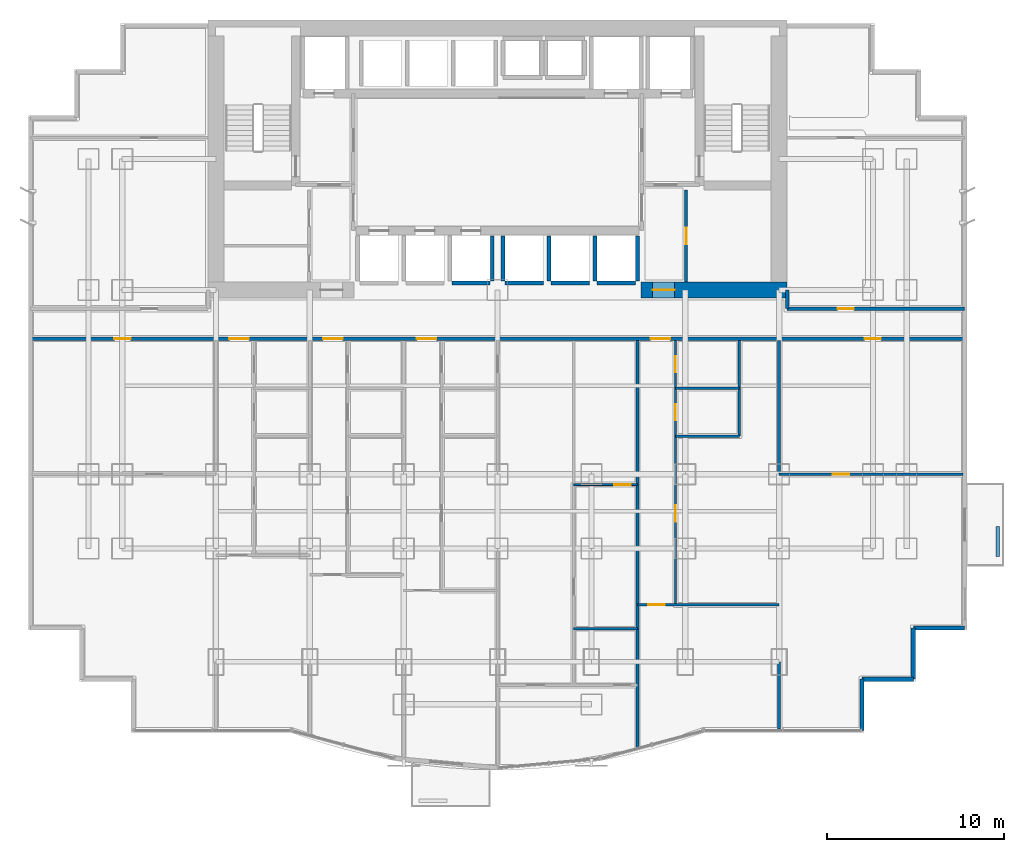
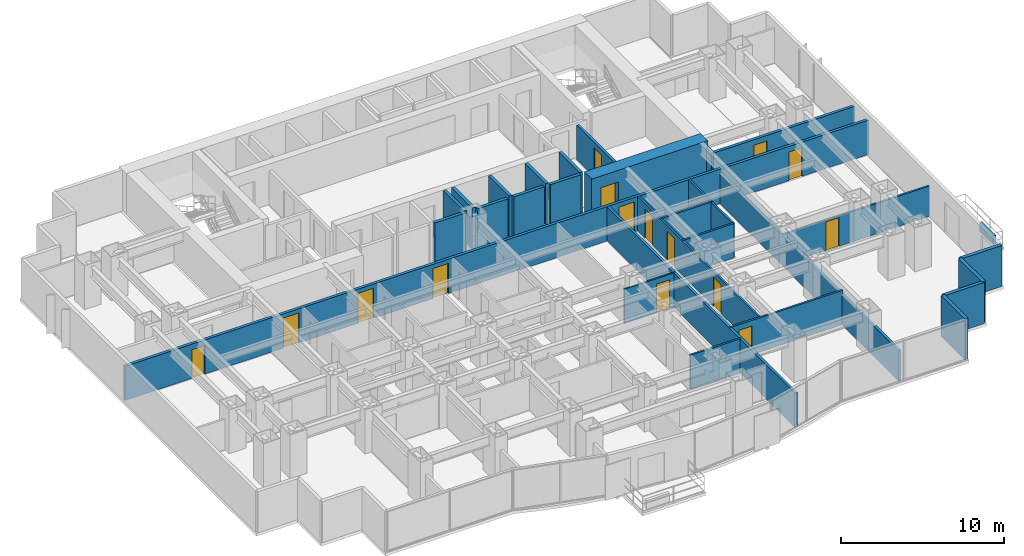
# One storey, part 6 of 10: 29 walls, 15 doors, 15 openings.
"""IFC4 building model written with IfcOpenShell, lengths in metres."""

from ifc_helpers import new_model, si_unit, direction, frame, frame_2d, origin, place, context, subcontext, project, spatial, rectangle, extrude, material, layer, layer_set, type_object, element, fill, save


model = new_model("IFC4")

# Units and contexts
model_context = context("Model", 3, precision=1e-05, world=origin(), true_north=direction((0.0, 1.0)))
body_context = subcontext(model_context, "Body", "Model", "MODEL_VIEW")
ifc_project = project(units=[si_unit("LENGTHUNIT", "METRE"), si_unit("AREAUNIT", "SQUARE_METRE"), si_unit("VOLUMEUNIT", "CUBIC_METRE"), si_unit("PLANEANGLEUNIT", "RADIAN"), si_unit("MASSUNIT", "GRAM", prefix="KILO")], contexts=[model_context])

# Site, building, storey
site_placement = place(None, origin())
site = spatial("IfcSite", under=ifc_project, at=site_placement, CompositionType="ELEMENT")
building_placement = place(site_placement, origin())
building = spatial("IfcBuilding", under=site, at=building_placement, Name="Qianlan Lanfeng Residences", CompositionType="ELEMENT")
storey_placement = place(building_placement, frame((0.0, 0.0, 34.10009765625)))
storey = spatial("IfcBuildingStorey", under=building, at=storey_placement, Name="L08", CompositionType="ELEMENT", Elevation=34.10009765625)

# Wall, opening, door
ifc_material_1 = material(Name="Concrete C70", Category="concrete")
ifc_layer_1 = layer(ifc_material_1, 0.89990234375)
ifc_layer_set_1 = layer_set([ifc_layer_1], Name="Concrete C70")
wall_type_1 = type_object("IfcWallType", Name="CW-RC-900", PredefinedType="SHEAR", material=ifc_layer_set_1)
wall_1_placement = place(storey_placement, frame((34.60009765625, 25.199951171875, 0.0), z_axis=(0.0, 0.0, 1.0), x_axis=(1.0, 0.0, 0.0)))
wall_1 = element("IfcWall", 1, at=wall_1_placement, inside=storey, type_object=wall_type_1, Name="L08 Core Shear Wall SE", PredefinedType="SHEAR", context=body_context, shape_type="SweptSolid", body=[
    extrude(rectangle(XDim=8.25, YDim=0.89990234375, at=frame_2d((4.125, 0.0))), origin(), (0.0, 0.0, 1.0), 3.079833984375),
])
opening_1_placement = place(wall_1_placement, frame((0.64990234375, 0.0, 0.0)))
opening_1 = element("IfcOpeningElement", 2, at=opening_1_placement, cuts=wall_1, Name="Opening L08-D02", PredefinedType="OPENING", context=body_context, shape_type="SweptSolid", body=[
    extrude(rectangle(XDim=1.25, YDim=2.199951171875, at=frame_2d((0.625, 1.10009765625))), frame((0.0, 0.4599609375, 0.0), z_axis=(0.0, -1.0, 0.0), x_axis=(1.0, 0.0, 0.0)), (0.0, 0.0, 1.0), 0.919921875),
])
ifc_material_2 = material(Name="Painted Galvanised Steel Fire Door", Category="steel")
door_type_1 = type_object("IfcDoorType", Name="DT-FFL", OperationType="NOTDEFINED", PredefinedType="DOOR", material=ifc_material_2)
door_1_placement = place(opening_1_placement, frame((1.25, 0.0, 0.0), z_axis=(0.0, 0.0, 1.0), x_axis=(-1.0, 0.0, 0.0)))
door_1 = element("IfcDoor", 3, at=door_1_placement, inside=storey, type_object=door_type_1, Name="L08 East Core Lobby Smoke Door L08-D02 (DT-FFL)", OperationType="SINGLE_SWING_LEFT", OverallHeight=2.199951171875, OverallWidth=1.25, PredefinedType="DOOR", context=body_context, shape_type="SweptSolid", body=[
    extrude(rectangle(XDim=1.25, YDim=2.199951171875, at=frame_2d((0.625, 1.10009765625))), frame((0.0, 0.02490234375, 0.0), z_axis=(0.0, -1.0, 0.0), x_axis=(1.0, 0.0, 0.0)), (0.0, 0.0, 1.0), 0.050048828125),
])
fill(opening_1, door_1)

# Walls
ifc_material_3 = material(Name="Concrete C42", Category="concrete")
ifc_layer_2 = layer(ifc_material_3, 0.239990234375)
ifc_layer_set_2 = layer_set([ifc_layer_2], Name="Concrete C42")
wall_type_2 = type_object("IfcWallType", Name="EW-240", PredefinedType="SOLIDWALL", material=ifc_layer_set_2)
for number, where, z_axis, x_axis, name in (
    (4, (47.080078125, 0.320068359375, 0.0), (0.0, 0.0, 1.0), (0.0, 1.0, 0.0), "L08 Exterior Facade Spandrel Wall 6"),
    (5, (47.080078125, 3.219970703125, 0.0), (0.0, 0.0, 1.0), (1.0, 0.0, 0.0), "L08 Exterior Facade Spandrel Wall 7"),
):
    element("IfcWall", number, at=place(storey_placement, frame(where, z_axis=z_axis, x_axis=x_axis)), inside=storey, type_object=wall_type_2, Name=name, PredefinedType="SOLIDWALL", context=body_context, shape_type="SweptSolid", body=[
        extrude(rectangle(XDim=2.89990234375, YDim=0.239990234375, at=frame_2d((1.449951171875, 0.0))), origin(), (0.0, 0.0, 1.0), 3.079833984375),
    ])
wall_2_placement = place(storey_placement, frame((49.97998046875, 3.219970703125, 0.0), z_axis=(0.0, 0.0, 1.0), x_axis=(0.0, 1.0, 0.0)))
element("IfcWall", 6, at=wall_2_placement, inside=storey, type_object=wall_type_2, Name="L08 Exterior Facade Spandrel Wall 8", PredefinedType="SOLIDWALL", context=body_context, shape_type="SweptSolid", body=[
    extrude(rectangle(XDim=2.900146484375, YDim=0.239990234375, at=frame_2d((1.4501953125, 0.0))), origin(), (0.0, 0.0, 1.0), 3.079833984375),
])
wall_3_placement = place(storey_placement, frame((49.97998046875, 6.1201171875, 0.0), z_axis=(0.0, 0.0, 1.0), x_axis=(1.0, 0.0, 0.0)))
element("IfcWall", 7, at=wall_3_placement, inside=storey, type_object=wall_type_2, Name="L08 Exterior Facade Spandrel Wall 9", PredefinedType="SOLIDWALL", context=body_context, shape_type="SweptSolid", body=[
    extrude(rectangle(XDim=2.89990234375, YDim=0.239990234375, at=frame_2d((1.449951171875, 0.0))), origin(), (0.0, 0.0, 1.0), 3.079833984375),
])
ifc_layer_3 = layer(ifc_material_3, 0.199951171875)
ifc_layer_set_3 = layer_set([ifc_layer_3], Name="Concrete C42")
wall_type_3 = type_object("IfcWallType", Name="PL-TREE-200", PredefinedType="PARAPET", material=ifc_layer_set_3)
wall_4_placement = place(storey_placement, frame((54.75, 10.14990234375, 0.0), z_axis=(0.0, 0.0, 1.0), x_axis=(0.0, 1.0, 0.0)))
element("IfcWall", 8, at=wall_4_placement, inside=storey, type_object=wall_type_3, Name="L08 East Tree Planter Curb EB-S", PredefinedType="PARAPET", context=body_context, shape_type="SweptSolid", body=[
    extrude(rectangle(XDim=1.7001953125, YDim=0.199951171875, at=frame_2d((0.85009765625, 0.0))), origin(), (0.0, 0.0, 1.0), 0.64990234375),
])

# Wall, opening, door
ifc_material_4 = material(Name="Demountable Acoustic Framing Partition 110 mm")
ifc_layer_4 = layer(ifc_material_4, 0.110107421875)
ifc_layer_set_4 = layer_set([ifc_layer_4], Name="Demountable Acoustic Framing Partition 110 mm")
wall_type_4 = type_object("IfcWallType", Name="PW-110", PredefinedType="MOVABLE", material=ifc_layer_set_4)
wall_5_placement = place(storey_placement, frame((30.800048828125, 14.2119140625, 0.0), z_axis=(0.0, 0.0, 1.0), x_axis=(1.0, 0.0, 0.0)))
wall_5 = element("IfcWall", 9, at=wall_5_placement, inside=storey, type_object=wall_type_4, Name="L08 U03 Wardrobe Split", PredefinedType="MOVABLE", context=body_context, shape_type="SweptSolid", body=[
    extrude(rectangle(XDim=3.599853515625, YDim=0.110107421875, at=frame_2d((1.7998046875, 0.0))), origin(), (0.0, 0.0, 1.0), 2.56982421875),
])
opening_2_placement = place(wall_5_placement, frame((2.2900390625, 0.0, 0.0)))
opening_2 = element("IfcOpeningElement", 10, at=opening_2_placement, cuts=wall_5, Name="Opening L08-D33", PredefinedType="OPENING", context=body_context, shape_type="SweptSolid", body=[
    extrude(rectangle(XDim=0.919921875, YDim=2.14990234375, at=frame_2d((0.4599609375, 1.074951171875))), frame((0.0, 0.06494140625, 0.0), z_axis=(0.0, -1.0, 0.0), x_axis=(1.0, 0.0, 0.0)), (0.0, 0.0, 1.0), 0.130126953125),
])
ifc_material_5 = material(Name="Glazed Timber Kitchen/Study Door", Category="wood")
door_type_2 = type_object("IfcDoorType", Name="DT-INT", OperationType="NOTDEFINED", PredefinedType="DOOR", material=ifc_material_5)
door_2_placement = place(opening_2_placement, frame((0.919921875, 0.0, 0.0), z_axis=(0.0, 0.0, 1.0), x_axis=(-1.0, 0.0, 0.0)))
door_2 = element("IfcDoor", 11, at=door_2_placement, inside=storey, type_object=door_type_2, Name="L08 U03 Dressing Inner Door L08-D33 (DT-INT)", OperationType="SINGLE_SWING_RIGHT", OverallHeight=2.14990234375, OverallWidth=0.919921875, PredefinedType="DOOR", context=body_context, shape_type="SweptSolid", body=[
    extrude(rectangle(XDim=0.919921875, YDim=2.14990234375, at=frame_2d((0.4599609375, 1.074951171875))), frame((0.0, 0.02490234375, 0.0), z_axis=(0.0, -1.0, 0.0), x_axis=(1.0, 0.0, 0.0)), (0.0, 0.0, 1.0), 0.050048828125),
])
fill(opening_2, door_2)

# Wall
ifc_material_6 = material(Name="Moisture-Resistant Gypsum Partition 135 mm")
ifc_layer_5 = layer(ifc_material_6, 0.135009765625)
ifc_layer_set_5 = layer_set([ifc_layer_5], Name="Moisture-Resistant Gypsum Partition 135 mm")
wall_type_5 = type_object("IfcWallType", Name="PW-135", PredefinedType="PARTITIONING", material=ifc_layer_set_5)
wall_6_placement = place(storey_placement, frame((30.800048828125, 6.072998046875, 0.0), z_axis=(0.0, 0.0, 1.0), x_axis=(1.0, 0.0, 0.0)))
element("IfcWall", 12, at=wall_6_placement, inside=storey, type_object=wall_type_5, Name="L08 U03 En-Suite North Wall", PredefinedType="PARTITIONING", context=body_context, shape_type="SweptSolid", body=[
    extrude(rectangle(XDim=3.599853515625, YDim=0.135009765625, at=frame_2d((1.7998046875, 0.0))), origin(), (0.0, 0.0, 1.0), 2.56982421875),
])

# Wall, opening, door
wall_7_placement = place(storey_placement, frame((34.39990234375, 7.419921875, 0.0), z_axis=(0.0, 0.0, 1.0), x_axis=(1.0, 0.0, 0.0)))
wall_7 = element("IfcWall", 13, at=wall_7_placement, inside=storey, type_object=wall_type_5, Name="L08 U04 Living Divider", PredefinedType="PARTITIONING", context=body_context, shape_type="SweptSolid", body=[
    extrude(rectangle(XDim=8.0, YDim=0.135009765625, at=frame_2d((4.0, 0.0))), origin(), (0.0, 0.0, 1.0), 2.56982421875),
])
opening_3_placement = place(wall_7_placement, frame((0.614990234375, 0.0, 0.0)))
opening_3 = element("IfcOpeningElement", 14, at=opening_3_placement, cuts=wall_7, Name="Opening L08-D35", PredefinedType="OPENING", context=body_context, shape_type="SweptSolid", body=[
    extrude(rectangle(XDim=0.919921875, YDim=2.14990234375, at=frame_2d((0.4599609375, 1.074951171875))), frame((0.0, 0.07763671875, 0.0), z_axis=(0.0, -1.0, 0.0), x_axis=(1.0, 0.0, 0.0)), (0.0, 0.0, 1.0), 0.155029296875),
])
door_3_placement = place(opening_3_placement, frame((0.919921875, 0.0, 0.0), z_axis=(0.0, 0.0, 1.0), x_axis=(-1.0, 0.0, 0.0)))
door_3 = element("IfcDoor", 15, at=door_3_placement, inside=storey, type_object=door_type_2, Name="L08 U04 Living Passage Door L08-D35 (DT-INT)", OperationType="SINGLE_SWING_RIGHT", OverallHeight=2.14990234375, OverallWidth=0.919921875, PredefinedType="DOOR", context=body_context, shape_type="SweptSolid", body=[
    extrude(rectangle(XDim=0.919921875, YDim=2.14990234375, at=frame_2d((0.4599609375, 1.074951171875))), frame((0.0, 0.02490234375, 0.0), z_axis=(0.0, -1.0, 0.0), x_axis=(1.0, 0.0, 0.0)), (0.0, 0.0, 1.0), 0.050048828125),
])
fill(opening_3, door_3)

# Wall, openings, doors
wall_8_placement = place(storey_placement, frame((36.550048828125, 7.419921875, 0.0), z_axis=(0.0, 0.0, 1.0), x_axis=(0.0, 1.0, 0.0)))
wall_8 = element("IfcWall", 16, at=wall_8_placement, inside=storey, type_object=wall_type_5, Name="L08 U04 Entry Hall Spine", PredefinedType="PARTITIONING", context=body_context, shape_type="SweptSolid", body=[
    extrude(rectangle(XDim=14.93017578125, YDim=0.135009765625, at=frame_2d((7.465087890625, 0.0))), origin(), (0.0, 0.0, 1.0), 2.56982421875),
])
opening_4_placement = place(wall_8_placement, frame((4.705078125, 0.0, 0.0)))
opening_4 = element("IfcOpeningElement", 17, at=opening_4_placement, cuts=wall_8, Name="Opening L08-D36", PredefinedType="OPENING", context=body_context, shape_type="SweptSolid", body=[
    extrude(rectangle(XDim=0.919921875, YDim=2.14990234375, at=frame_2d((0.4599609375, 1.074951171875))), frame((0.0, 0.07763671875, 0.0), z_axis=(0.0, -1.0, 0.0), x_axis=(1.0, 0.0, 0.0)), (0.0, 0.0, 1.0), 0.155029296875),
])
opening_5_placement = place(wall_8_placement, frame((10.419921875, 0.0, 0.0)))
opening_5 = element("IfcOpeningElement", 18, at=opening_5_placement, cuts=wall_8, Name="Opening L08-D37", PredefinedType="OPENING", context=body_context, shape_type="SweptSolid", body=[
    extrude(rectangle(XDim=0.919921875, YDim=2.14990234375, at=frame_2d((0.4599609375, 1.074951171875))), frame((0.0, 0.07763671875, 0.0), z_axis=(0.0, -1.0, 0.0), x_axis=(1.0, 0.0, 0.0)), (0.0, 0.0, 1.0), 0.155029296875),
])
opening_6_placement = place(wall_8_placement, frame((13.1298828125, 0.0, 0.0)))
opening_6 = element("IfcOpeningElement", 19, at=opening_6_placement, cuts=wall_8, Name="Opening L08-D38", PredefinedType="OPENING", context=body_context, shape_type="SweptSolid", body=[
    extrude(rectangle(XDim=0.89990234375, YDim=2.14990234375, at=frame_2d((0.449951171875, 1.074951171875))), frame((0.0, 0.07763671875, 0.0), z_axis=(0.0, -1.0, 0.0), x_axis=(1.0, 0.0, 0.0)), (0.0, 0.0, 1.0), 0.155029296875),
])
door_4_placement = place(opening_4_placement, origin())
door_4 = element("IfcDoor", 20, at=door_4_placement, inside=storey, type_object=door_type_2, Name="L08 U04 Study Door L08-D36 (DT-INT)", OperationType="SINGLE_SWING_RIGHT", OverallHeight=2.14990234375, OverallWidth=0.919921875, PredefinedType="DOOR", context=body_context, shape_type="SweptSolid", body=[
    extrude(rectangle(XDim=0.919921875, YDim=2.14990234375, at=frame_2d((0.4599609375, 1.074951171875))), frame((0.0, 0.02490234375, 0.0), z_axis=(0.0, -1.0, 0.0), x_axis=(1.0, 0.0, 0.0)), (0.0, 0.0, 1.0), 0.050048828125),
])
fill(opening_4, door_4)
door_5_placement = place(opening_5_placement, origin())
door_5 = element("IfcDoor", 21, at=door_5_placement, inside=storey, type_object=door_type_2, Name="L08 U04 Kitchen Door L08-D37 (DT-INT)", OperationType="SINGLE_SWING_LEFT", OverallHeight=2.14990234375, OverallWidth=0.919921875, PredefinedType="DOOR", context=body_context, shape_type="SweptSolid", body=[
    extrude(rectangle(XDim=0.919921875, YDim=2.14990234375, at=frame_2d((0.4599609375, 1.074951171875))), frame((0.0, 0.02490234375, 0.0), z_axis=(0.0, -1.0, 0.0), x_axis=(1.0, 0.0, 0.0)), (0.0, 0.0, 1.0), 0.050048828125),
])
fill(opening_5, door_5)
ifc_material_7 = material(Name="Moisture-Resistant Timber Leaf", Category="wood")
door_type_3 = type_object("IfcDoorType", Name="DT-WC", OperationType="NOTDEFINED", PredefinedType="DOOR", material=ifc_material_7)
door_6_placement = place(opening_6_placement, origin())
door_6 = element("IfcDoor", 22, at=door_6_placement, inside=storey, type_object=door_type_3, Name="L08 U04 Bathroom Door L08-D38 (DT-WC)", OperationType="SINGLE_SWING_RIGHT", OverallHeight=2.14990234375, OverallWidth=0.89990234375, PredefinedType="DOOR", context=body_context, shape_type="SweptSolid", body=[
    extrude(rectangle(XDim=0.89990234375, YDim=2.14990234375, at=frame_2d((0.449951171875, 1.074951171875))), frame((0.0, 0.02490234375, 0.0), z_axis=(0.0, -1.0, 0.0), x_axis=(1.0, 0.0, 0.0)), (0.0, 0.0, 1.0), 0.050048828125),
])
fill(opening_6, door_6)

# Walls
wall_9_placement = place(storey_placement, frame((36.550048828125, 16.949951171875, 0.0), z_axis=(0.0, 0.0, 1.0), x_axis=(1.0, 0.0, 0.0)))
element("IfcWall", 23, at=wall_9_placement, inside=storey, type_object=wall_type_5, Name="L08 U04 Kitchen South Wall", PredefinedType="PARTITIONING", context=body_context, shape_type="SweptSolid", body=[
    extrude(rectangle(XDim=3.599853515625, YDim=0.135009765625, at=frame_2d((1.7998046875, 0.0))), origin(), (0.0, 0.0, 1.0), 2.56982421875),
])
wall_10_placement = place(storey_placement, frame((40.14990234375, 16.949951171875, 0.0), z_axis=(0.0, 0.0, 1.0), x_axis=(0.0, 1.0, 0.0)))
element("IfcWall", 24, at=wall_10_placement, inside=storey, type_object=wall_type_5, Name="L08 U04 Dining East Wall", PredefinedType="PARTITIONING", context=body_context, shape_type="SweptSolid", body=[
    extrude(rectangle(XDim=5.400146484375, YDim=0.135009765625, at=frame_2d((2.7001953125, 0.0))), origin(), (0.0, 0.0, 1.0), 2.56982421875),
])
wall_11_placement = place(storey_placement, frame((36.550048828125, 19.64990234375, 0.0), z_axis=(0.0, 0.0, 1.0), x_axis=(1.0, 0.0, 0.0)))
element("IfcWall", 25, at=wall_11_placement, inside=storey, type_object=wall_type_5, Name="L08 U04 Bathroom South Wall", PredefinedType="PARTITIONING", context=body_context, shape_type="SweptSolid", body=[
    extrude(rectangle(XDim=3.599853515625, YDim=0.135009765625, at=frame_2d((1.7998046875, 0.0))), origin(), (0.0, 0.0, 1.0), 2.56982421875),
])

# Wall, opening, door
wall_12_placement = place(storey_placement, frame((42.39990234375, 14.800048828125, 0.0), z_axis=(0.0, 0.0, 1.0), x_axis=(1.0, 0.0, 0.0)))
wall_12 = element("IfcWall", 26, at=wall_12_placement, inside=storey, type_object=wall_type_5, Name="L08 SEP Mid Partition", PredefinedType="PARTITIONING", context=body_context, shape_type="SweptSolid", body=[
    extrude(rectangle(XDim=10.380126953125, YDim=0.135009765625, at=frame_2d((5.18994140625, 0.0))), origin(), (0.0, 0.0, 1.0), 2.27490234375),
])
opening_7_placement = place(wall_12_placement, frame((3.030029296875, 0.0, 0.0)))
opening_7 = element("IfcOpeningElement", 27, at=opening_7_placement, cuts=wall_12, Name="Opening L08-D41", PredefinedType="OPENING", context=body_context, shape_type="SweptSolid", body=[
    extrude(rectangle(XDim=0.919921875, YDim=2.14990234375, at=frame_2d((0.4599609375, 1.074951171875))), frame((0.0, 0.07763671875, 0.0), z_axis=(0.0, -1.0, 0.0), x_axis=(1.0, 0.0, 0.0)), (0.0, 0.0, 1.0), 0.155029296875),
])
door_7_placement = place(opening_7_placement, origin())
door_7 = element("IfcDoor", 28, at=door_7_placement, inside=storey, type_object=door_type_2, Name="L08 SEP Inner Door L08-D41 (DT-INT)", OperationType="SINGLE_SWING_LEFT", OverallHeight=2.14990234375, OverallWidth=0.919921875, PredefinedType="DOOR", context=body_context, shape_type="SweptSolid", body=[
    extrude(rectangle(XDim=0.919921875, YDim=2.14990234375, at=frame_2d((0.4599609375, 1.074951171875))), frame((0.0, 0.02490234375, 0.0), z_axis=(0.0, -1.0, 0.0), x_axis=(1.0, 0.0, 0.0)), (0.0, 0.0, 1.0), 0.050048828125),
])
fill(opening_7, door_7)

ifc_material_8 = material(Name="Double-Layer Acoustic Gypsum Stud Wall 180 mm")
ifc_layer_6 = layer(ifc_material_8, 0.179931640625)
ifc_layer_set_6 = layer_set([ifc_layer_6], Name="Double-Layer Acoustic Gypsum Stud Wall 180 mm")
wall_type_6 = type_object("IfcWallType", Name="PW-180", PredefinedType="PARTITIONING", material=ifc_layer_set_6)
wall_13_placement = place(storey_placement, frame((37.14990234375, 25.64990234375, 0.0), z_axis=(0.0, 0.0, 1.0), x_axis=(0.0, 1.0, 0.0)))
wall_13 = element("IfcWall", 29, at=wall_13_placement, inside=storey, type_object=wall_type_6, Name="L08 Core East Service Room Wall", PredefinedType="PARTITIONING", context=body_context, shape_type="SweptSolid", body=[
    extrude(rectangle(XDim=5.2001953125, YDim=0.179931640625, at=frame_2d((2.60009765625, 0.0))), origin(), (0.0, 0.0, 1.0), 2.56982421875),
])
opening_8_placement = place(wall_13_placement, frame((2.139892578125, 0.0, 0.0)))
opening_8 = element("IfcOpeningElement", 30, at=opening_8_placement, cuts=wall_13, Name="Opening L08-D11", PredefinedType="OPENING", context=body_context, shape_type="SweptSolid", body=[
    extrude(rectangle(XDim=0.919921875, YDim=2.14990234375, at=frame_2d((0.4599609375, 1.074951171875))), frame((0.0, 0.10009765625, 0.0), z_axis=(0.0, -1.0, 0.0), x_axis=(1.0, 0.0, 0.0)), (0.0, 0.0, 1.0), 0.199951171875),
])
door_8_placement = place(opening_8_placement, origin())
door_8 = element("IfcDoor", 31, at=door_8_placement, inside=storey, type_object=door_type_2, Name="L08 Mail Parcel Closet Door L08-D11 (DT-INT)", OperationType="SINGLE_SWING_LEFT", OverallHeight=2.14990234375, OverallWidth=0.919921875, PredefinedType="DOOR", context=body_context, shape_type="SweptSolid", body=[
    extrude(rectangle(XDim=0.919921875, YDim=2.14990234375, at=frame_2d((0.4599609375, 1.074951171875))), frame((0.0, 0.02490234375, 0.0), z_axis=(0.0, -1.0, 0.0), x_axis=(1.0, 0.0, 0.0)), (0.0, 0.0, 1.0), 0.050048828125),
])
fill(opening_8, door_8)

# Walls
wall_14_placement = place(storey_placement, frame((42.39990234375, 0.419921875, 0.0), z_axis=(0.0, 0.0, 1.0), x_axis=(0.0, 1.0, 0.0)))
element("IfcWall", 32, at=wall_14_placement, inside=storey, type_object=wall_type_6, Name="L08 Wing Boundary Party Wall E0", PredefinedType="PARTITIONING", context=body_context, shape_type="SweptSolid", body=[
    extrude(rectangle(XDim=21.93017578125, YDim=0.179931640625, at=frame_2d((10.965087890625, 0.0))), origin(), (0.0, 0.0, 1.0), 2.27490234375),
])
wall_15_placement = place(storey_placement, frame((34.39990234375, -0.699951171875, 0.0), z_axis=(0.0, 0.0, 1.0), x_axis=(0.0, 1.0, 0.0)))
element("IfcWall", 33, at=wall_15_placement, inside=storey, type_object=wall_type_6, Name="L08 Inter-Tenancy Party Wall 4", PredefinedType="PARTITIONING", context=body_context, shape_type="SweptSolid", body=[
    extrude(rectangle(XDim=23.050048828125, YDim=0.179931640625, at=frame_2d((11.52490234375, 0.0))), origin(), (0.0, 0.0, 1.0), 2.56982421875),
])

# Wall, openings, doors
ifc_material_9 = material(Name="Autoclaved Aerated Concrete Blockwork 200 mm", Category="masonry")
ifc_layer_7 = layer(ifc_material_9, 0.199951171875)
ifc_layer_set_7 = layer_set([ifc_layer_7], Name="Autoclaved Aerated Concrete Blockwork 200 mm")
wall_type_7 = type_object("IfcWallType", Name="PW-200", PredefinedType="PARTITIONING", material=ifc_layer_set_7)
wall_16_placement = place(storey_placement, frame((0.1201171875, 22.449951171875, 0.0), z_axis=(0.0, 0.0, 1.0), x_axis=(1.0, 0.0, 0.0)))
wall_16 = element("IfcWall", 34, at=wall_16_placement, inside=storey, type_object=wall_type_7, Name="L08 Residential Corridor South Fire Wall", PredefinedType="PARTITIONING", context=body_context, shape_type="SweptSolid", body=[
    extrude(rectangle(XDim=52.759765625, YDim=0.199951171875, at=frame_2d((26.3798828125, 0.0))), origin(), (0.0, 0.0, 1.0), 2.56982421875),
])
opening_9_placement = place(wall_16_placement, frame((11.22998046875, 0.0, 0.0)))
opening_9 = element("IfcOpeningElement", 35, at=opening_9_placement, cuts=wall_16, Name="Opening L08-D14", PredefinedType="OPENING", context=body_context, shape_type="SweptSolid", body=[
    extrude(rectangle(XDim=1.10009765625, YDim=2.25, at=frame_2d((0.550048828125, 1.125))), frame((0.0, 0.10986328125, 0.0), z_axis=(0.0, -1.0, 0.0), x_axis=(1.0, 0.0, 0.0)), (0.0, 0.0, 1.0), 0.219970703125),
])
opening_10_placement = place(wall_16_placement, frame((16.530029296875, 0.0, 0.0)))
opening_10 = element("IfcOpeningElement", 36, at=opening_10_placement, cuts=wall_16, Name="Opening L08-D19", PredefinedType="OPENING", context=body_context, shape_type="SweptSolid", body=[
    extrude(rectangle(XDim=1.10009765625, YDim=2.25, at=frame_2d((0.550048828125, 1.125))), frame((0.0, 0.10986328125, 0.0), z_axis=(0.0, -1.0, 0.0), x_axis=(1.0, 0.0, 0.0)), (0.0, 0.0, 1.0), 0.219970703125),
])
opening_11_placement = place(wall_16_placement, frame((21.830078125, 0.0, 0.0)))
opening_11 = element("IfcOpeningElement", 37, at=opening_11_placement, cuts=wall_16, Name="Opening L08-D24", PredefinedType="OPENING", context=body_context, shape_type="SweptSolid", body=[
    extrude(rectangle(XDim=1.10009765625, YDim=2.25, at=frame_2d((0.550048828125, 1.125))), frame((0.0, 0.10986328125, 0.0), z_axis=(0.0, -1.0, 0.0), x_axis=(1.0, 0.0, 0.0)), (0.0, 0.0, 1.0), 0.219970703125),
])
opening_12_placement = place(wall_16_placement, frame((35.030029296875, 0.0, 0.0)))
opening_12 = element("IfcOpeningElement", 38, at=opening_12_placement, cuts=wall_16, Name="Opening L08-D34", PredefinedType="OPENING", context=body_context, shape_type="SweptSolid", body=[
    extrude(rectangle(XDim=1.10009765625, YDim=2.25, at=frame_2d((0.550048828125, 1.125))), frame((0.0, 0.10986328125, 0.0), z_axis=(0.0, -1.0, 0.0), x_axis=(1.0, 0.0, 0.0)), (0.0, 0.0, 1.0), 0.219970703125),
])
opening_13_placement = place(wall_16_placement, frame((4.735107421875, 0.0, 0.0)))
opening_13 = element("IfcOpeningElement", 39, at=opening_13_placement, cuts=wall_16, Name="Opening L08-D40", PredefinedType="OPENING", context=body_context, shape_type="SweptSolid", body=[
    extrude(rectangle(XDim=0.919921875, YDim=2.14990234375, at=frame_2d((0.4599609375, 1.074951171875))), frame((0.0, 0.10986328125, 0.0), z_axis=(0.0, -1.0, 0.0), x_axis=(1.0, 0.0, 0.0)), (0.0, 0.0, 1.0), 0.219970703125),
])
opening_14_placement = place(wall_16_placement, frame((47.10498046875, 0.0, 0.0)))
opening_14 = element("IfcOpeningElement", 40, at=opening_14_placement, cuts=wall_16, Name="Opening L08-D42", PredefinedType="OPENING", context=body_context, shape_type="SweptSolid", body=[
    extrude(rectangle(XDim=0.919921875, YDim=2.14990234375, at=frame_2d((0.4599609375, 1.074951171875))), frame((0.0, 0.10986328125, 0.0), z_axis=(0.0, -1.0, 0.0), x_axis=(1.0, 0.0, 0.0)), (0.0, 0.0, 1.0), 0.219970703125),
])
door_9_placement = place(opening_13_placement, origin())
door_9 = element("IfcDoor", 41, at=door_9_placement, inside=storey, type_object=door_type_2, Name="L08 SWP Corridor Door L08-D40 (DT-INT)", OperationType="SINGLE_SWING_RIGHT", OverallHeight=2.14990234375, OverallWidth=0.919921875, PredefinedType="DOOR", context=body_context, shape_type="SweptSolid", body=[
    extrude(rectangle(XDim=0.919921875, YDim=2.14990234375, at=frame_2d((0.4599609375, 1.074951171875))), frame((0.0, 0.02490234375, 0.0), z_axis=(0.0, -1.0, 0.0), x_axis=(1.0, 0.0, 0.0)), (0.0, 0.0, 1.0), 0.050048828125),
])
fill(opening_13, door_9)
door_10_placement = place(opening_14_placement, origin())
door_10 = element("IfcDoor", 42, at=door_10_placement, inside=storey, type_object=door_type_2, Name="L08 SEP Corridor Door L08-D42 (DT-INT)", OperationType="SINGLE_SWING_RIGHT", OverallHeight=2.14990234375, OverallWidth=0.919921875, PredefinedType="DOOR", context=body_context, shape_type="SweptSolid", body=[
    extrude(rectangle(XDim=0.919921875, YDim=2.14990234375, at=frame_2d((0.4599609375, 1.074951171875))), frame((0.0, 0.02490234375, 0.0), z_axis=(0.0, -1.0, 0.0), x_axis=(1.0, 0.0, 0.0)), (0.0, 0.0, 1.0), 0.050048828125),
])
fill(opening_14, door_10)
ifc_material_10 = material(Name="Solid-Core Oak Veneer Fire Door")
door_type_4 = type_object("IfcDoorType", Name="DT-UNIT", OperationType="NOTDEFINED", PredefinedType="DOOR", material=ifc_material_10)
door_11_placement = place(opening_9_placement, origin())
door_11 = element("IfcDoor", 43, at=door_11_placement, inside=storey, type_object=door_type_4, Name="L08 Apartment U01 Entrance Door L08-D14 (DT-UNIT)", OperationType="SINGLE_SWING_RIGHT", OverallHeight=2.25, OverallWidth=1.10009765625, PredefinedType="DOOR", context=body_context, shape_type="SweptSolid", body=[
    extrude(rectangle(XDim=1.10009765625, YDim=2.25, at=frame_2d((0.550048828125, 1.125))), frame((0.0, 0.02490234375, 0.0), z_axis=(0.0, -1.0, 0.0), x_axis=(1.0, 0.0, 0.0)), (0.0, 0.0, 1.0), 0.050048828125),
])
fill(opening_9, door_11)
door_12_placement = place(opening_10_placement, origin())
door_12 = element("IfcDoor", 44, at=door_12_placement, inside=storey, type_object=door_type_4, Name="L08 Apartment U02 Entrance Door L08-D19 (DT-UNIT)", OperationType="SINGLE_SWING_RIGHT", OverallHeight=2.25, OverallWidth=1.10009765625, PredefinedType="DOOR", context=body_context, shape_type="SweptSolid", body=[
    extrude(rectangle(XDim=1.10009765625, YDim=2.25, at=frame_2d((0.550048828125, 1.125))), frame((0.0, 0.02490234375, 0.0), z_axis=(0.0, -1.0, 0.0), x_axis=(1.0, 0.0, 0.0)), (0.0, 0.0, 1.0), 0.050048828125),
])
fill(opening_10, door_12)
door_13_placement = place(opening_11_placement, origin())
door_13 = element("IfcDoor", 45, at=door_13_placement, inside=storey, type_object=door_type_4, Name="L08 Apartment U03 Entrance Door L08-D24 (DT-UNIT)", OperationType="SINGLE_SWING_RIGHT", OverallHeight=2.25, OverallWidth=1.10009765625, PredefinedType="DOOR", context=body_context, shape_type="SweptSolid", body=[
    extrude(rectangle(XDim=1.10009765625, YDim=2.25, at=frame_2d((0.550048828125, 1.125))), frame((0.0, 0.02490234375, 0.0), z_axis=(0.0, -1.0, 0.0), x_axis=(1.0, 0.0, 0.0)), (0.0, 0.0, 1.0), 0.050048828125),
])
fill(opening_11, door_13)
door_14_placement = place(opening_12_placement, origin())
door_14 = element("IfcDoor", 46, at=door_14_placement, inside=storey, type_object=door_type_4, Name="L08 Apartment U04 Entrance Door L08-D34 (DT-UNIT)", OperationType="SINGLE_SWING_RIGHT", OverallHeight=2.25, OverallWidth=1.10009765625, PredefinedType="DOOR", context=body_context, shape_type="SweptSolid", body=[
    extrude(rectangle(XDim=1.10009765625, YDim=2.25, at=frame_2d((0.550048828125, 1.125))), frame((0.0, 0.02490234375, 0.0), z_axis=(0.0, -1.0, 0.0), x_axis=(1.0, 0.0, 0.0)), (0.0, 0.0, 1.0), 0.050048828125),
])
fill(opening_12, door_14)

# Wall, opening, door
wall_17_placement = place(storey_placement, frame((42.85009765625, 24.14990234375, 0.0), z_axis=(0.0, 0.0, 1.0), x_axis=(1.0, 0.0, 0.0)))
wall_17 = element("IfcWall", 47, at=wall_17_placement, inside=storey, type_object=wall_type_7, Name="L08 Corridor NE Wall", PredefinedType="PARTITIONING", context=body_context, shape_type="SweptSolid", body=[
    extrude(rectangle(XDim=10.02978515625, YDim=0.199951171875, at=frame_2d((5.014892578125, 0.0))), origin(), (0.0, 0.0, 1.0), 2.56982421875),
])
opening_15_placement = place(wall_17_placement, frame((2.85498046875, 0.0, 0.0)))
opening_15 = element("IfcOpeningElement", 48, at=opening_15_placement, cuts=wall_17, Name="Opening L08-D46", PredefinedType="OPENING", context=body_context, shape_type="SweptSolid", body=[
    extrude(rectangle(XDim=0.919921875, YDim=2.14990234375, at=frame_2d((0.4599609375, 1.074951171875))), frame((0.0, 0.10986328125, 0.0), z_axis=(0.0, -1.0, 0.0), x_axis=(1.0, 0.0, 0.0)), (0.0, 0.0, 1.0), 0.219970703125),
])
door_15_placement = place(opening_15_placement, origin())
door_15 = element("IfcDoor", 49, at=door_15_placement, inside=storey, type_object=door_type_2, Name="L08 EW Amenity Salon Door L08-D46 (DT-INT)", OperationType="SINGLE_SWING_LEFT", OverallHeight=2.14990234375, OverallWidth=0.919921875, PredefinedType="DOOR", context=body_context, shape_type="SweptSolid", body=[
    extrude(rectangle(XDim=0.919921875, YDim=2.14990234375, at=frame_2d((0.4599609375, 1.074951171875))), frame((0.0, 0.02490234375, 0.0), z_axis=(0.0, -1.0, 0.0), x_axis=(1.0, 0.0, 0.0)), (0.0, 0.0, 1.0), 0.050048828125),
])
fill(opening_15, door_15)

# Walls
wall_18_placement = place(storey_placement, frame((42.85009765625, 24.14990234375, 0.0), z_axis=(0.0, 0.0, 1.0), x_axis=(0.0, 1.0, 0.0)))
element("IfcWall", 50, at=wall_18_placement, inside=storey, type_object=wall_type_7, Name="L08 NE Wing Core Return Wall", PredefinedType="PARTITIONING", context=body_context, shape_type="SweptSolid", body=[
    extrude(rectangle(XDim=1.050048828125, YDim=0.199951171875, at=frame_2d((0.52490234375, 0.0))), origin(), (0.0, 0.0, 1.0), 2.56982421875),
])
ifc_material_11 = material(Name="Concrete C49", Category="concrete")
ifc_layer_8 = layer(ifc_material_11, 0.219970703125)
ifc_layer_set_8 = layer_set([ifc_layer_8], Name="Concrete C49")
wall_type_8 = type_object("IfcWallType", Name="SHW-220", PredefinedType="SOLIDWALL", material=ifc_layer_set_8)
wall_19_placement = place(storey_placement, frame((26.199951171875, 25.719970703125, 0.0), z_axis=(0.0, 0.0, 1.0), x_axis=(0.0, 1.0, 0.0)))
element("IfcWall", 51, at=wall_19_placement, inside=storey, type_object=wall_type_8, Name="L08 Lift PL-L3 Shaft Wall E", PredefinedType="SOLIDWALL", context=body_context, shape_type="SweptSolid", body=[
    extrude(rectangle(XDim=2.530029296875, YDim=0.219970703125, at=frame_2d((1.26513671875, 0.0))), origin(), (0.0, 0.0, 1.0), 3.079833984375),
])
wall_20_placement = place(storey_placement, frame((23.919921875, 25.60009765625, 0.0), z_axis=(0.0, 0.0, 1.0), x_axis=(1.0, 0.0, 0.0)))
element("IfcWall", 52, at=wall_20_placement, inside=storey, type_object=wall_type_8, Name="L08 Lift PL-L3 Shaft Back Wall S", PredefinedType="SOLIDWALL", context=body_context, shape_type="SweptSolid", body=[
    extrude(rectangle(XDim=2.16015625, YDim=0.219970703125, at=frame_2d((1.080078125, 0.0))), origin(), (0.0, 0.0, 1.0), 3.079833984375),
])
wall_21_placement = place(storey_placement, frame((26.800048828125, 25.719970703125, 0.0), z_axis=(0.0, 0.0, 1.0), x_axis=(0.0, 1.0, 0.0)))
element("IfcWall", 53, at=wall_21_placement, inside=storey, type_object=wall_type_8, Name="L08 Lift PL-M1 Shaft Wall W", PredefinedType="SOLIDWALL", context=body_context, shape_type="SweptSolid", body=[
    extrude(rectangle(XDim=2.530029296875, YDim=0.219970703125, at=frame_2d((1.26513671875, 0.0))), origin(), (0.0, 0.0, 1.0), 3.079833984375),
])
wall_22_placement = place(storey_placement, frame((26.919921875, 25.60009765625, 0.0), z_axis=(0.0, 0.0, 1.0), x_axis=(1.0, 0.0, 0.0)))
element("IfcWall", 54, at=wall_22_placement, inside=storey, type_object=wall_type_8, Name="L08 Lift PL-M1 Shaft Back Wall S", PredefinedType="SOLIDWALL", context=body_context, shape_type="SweptSolid", body=[
    extrude(rectangle(XDim=2.16015625, YDim=0.219970703125, at=frame_2d((1.080078125, 0.0))), origin(), (0.0, 0.0, 1.0), 3.079833984375),
])
wall_23_placement = place(storey_placement, frame((29.39990234375, 25.719970703125, 0.0), z_axis=(0.0, 0.0, 1.0), x_axis=(0.0, 1.0, 0.0)))
element("IfcWall", 55, at=wall_23_placement, inside=storey, type_object=wall_type_8, Name="L08 Lift PL-M2 Shaft Wall W", PredefinedType="SOLIDWALL", context=body_context, shape_type="SweptSolid", body=[
    extrude(rectangle(XDim=2.530029296875, YDim=0.219970703125, at=frame_2d((1.26513671875, 0.0))), origin(), (0.0, 0.0, 1.0), 3.079833984375),
])
wall_24_placement = place(storey_placement, frame((29.52001953125, 25.60009765625, 0.0), z_axis=(0.0, 0.0, 1.0), x_axis=(1.0, 0.0, 0.0)))
element("IfcWall", 56, at=wall_24_placement, inside=storey, type_object=wall_type_8, Name="L08 Lift PL-M2 Shaft Back Wall S", PredefinedType="SOLIDWALL", context=body_context, shape_type="SweptSolid", body=[
    extrude(rectangle(XDim=2.159912109375, YDim=0.219970703125, at=frame_2d((1.080078125, 0.0))), origin(), (0.0, 0.0, 1.0), 3.079833984375),
])
for number, where, z_axis, x_axis, name in (
    (57, (32.0, 25.719970703125, 0.0), (0.0, 0.0, 1.0), (0.0, 1.0, 0.0), "L08 Lift PL-M3 Shaft Wall W"),
    (58, (34.39990234375, 25.719970703125, 0.0), (0.0, 0.0, 1.0), (0.0, 1.0, 0.0), "L08 Lift PL-M3 Shaft Wall E"),
):
    element("IfcWall", number, at=place(storey_placement, frame(where, z_axis=z_axis, x_axis=x_axis)), inside=storey, type_object=wall_type_8, Name=name, PredefinedType="SOLIDWALL", context=body_context, shape_type="SweptSolid", body=[
        extrude(rectangle(XDim=2.530029296875, YDim=0.219970703125, at=frame_2d((1.26513671875, 0.0))), origin(), (0.0, 0.0, 1.0), 3.079833984375),
    ])
wall_25_placement = place(storey_placement, frame((32.1201171875, 25.60009765625, 0.0), z_axis=(0.0, 0.0, 1.0), x_axis=(1.0, 0.0, 0.0)))
element("IfcWall", 59, at=wall_25_placement, inside=storey, type_object=wall_type_8, Name="L08 Lift PL-M3 Shaft Back Wall S", PredefinedType="SOLIDWALL", context=body_context, shape_type="SweptSolid", body=[
    extrude(rectangle(XDim=2.159912109375, YDim=0.219970703125, at=frame_2d((1.080078125, 0.0))), origin(), (0.0, 0.0, 1.0), 3.079833984375),
])

save(model, "model.ifc")
